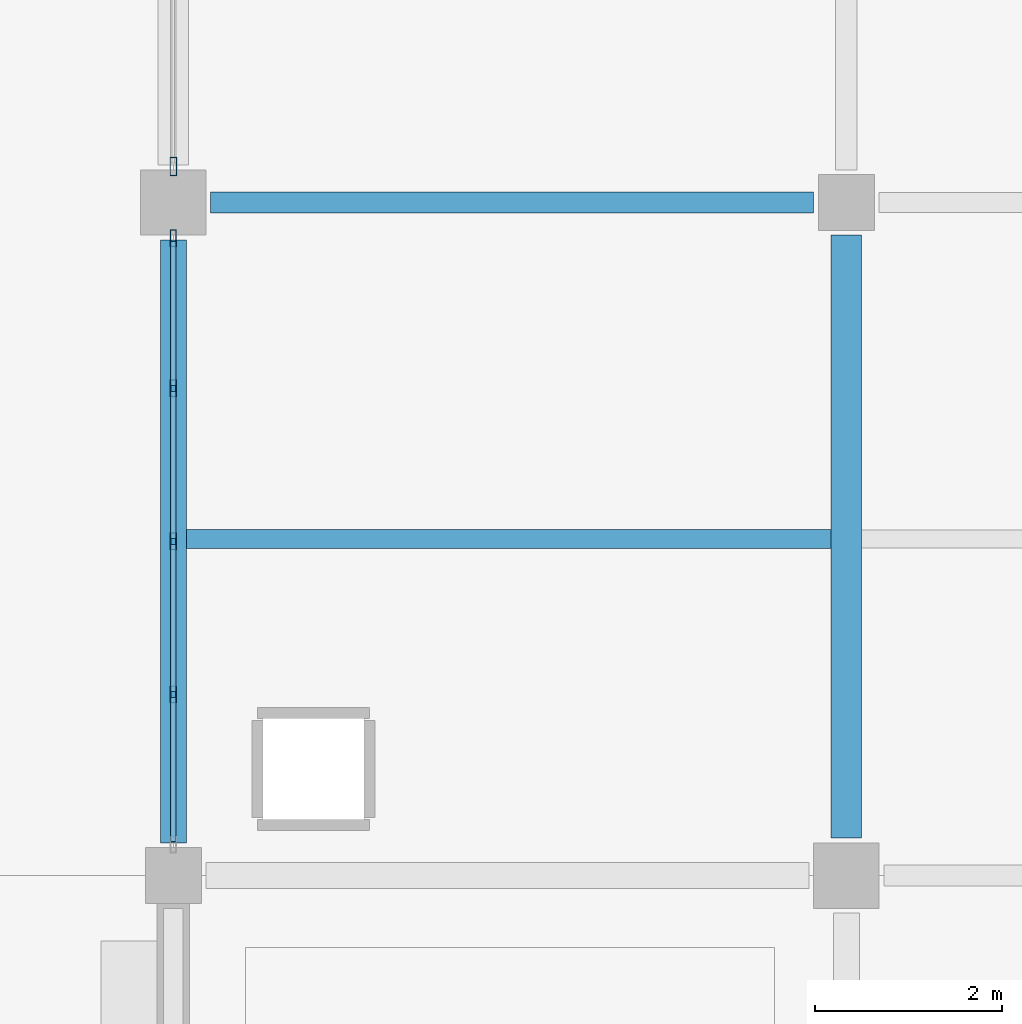
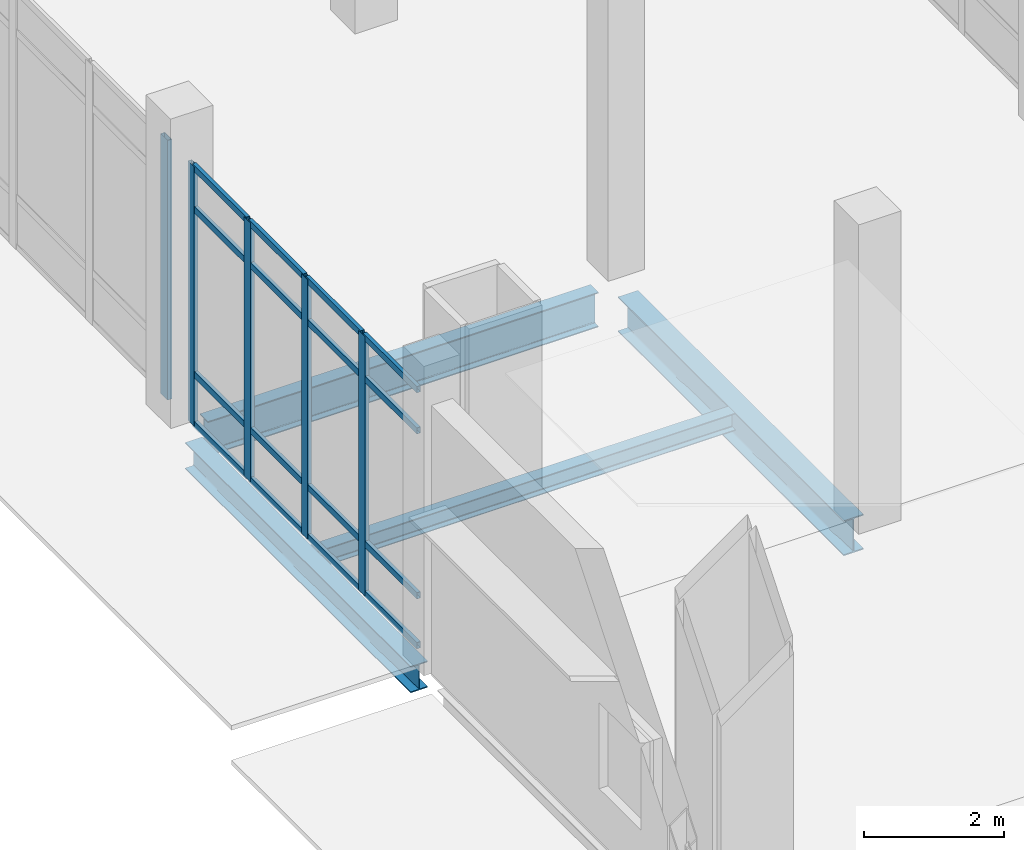
# One storey, part 72 of 229: 21 members, 4 beams, 2 elements without a shape of their own.
"""IFC4 building model written with IfcOpenShell, lengths in metres."""

from ifc_helpers import new_model, si_unit, direction, frame, origin, origin_2d, place, context, subcontext, project, spatial, hollow_rectangle, i_section, extrude, material, layer, layer_set, material_profile, profile_set, type_object, element, aggregate, save


model = new_model("IFC4")

# Units and contexts
model_context = context("Model", 3, precision=1e-05, world=origin(), true_north=direction((0.0, 1.0)))
body_context = subcontext(model_context, "Body", "Model", "MODEL_VIEW")
ifc_project = project(units=[si_unit("LENGTHUNIT", "METRE"), si_unit("AREAUNIT", "SQUARE_METRE"), si_unit("VOLUMEUNIT", "CUBIC_METRE"), si_unit("PLANEANGLEUNIT", "RADIAN"), si_unit("MASSUNIT", "GRAM", prefix="KILO")], contexts=[model_context])

# Site, building, storey
site_placement = place(None, origin())
site = spatial("IfcSite", under=ifc_project, at=site_placement, CompositionType="ELEMENT")
building_placement = place(site_placement, origin())
building = spatial("IfcBuilding", under=site, at=building_placement, Name="Calvrana Isthmian Art Gallery", CompositionType="ELEMENT")
storey_placement = place(building_placement, origin())
storey = spatial("IfcBuildingStorey", under=building, at=storey_placement, Name="L00", CompositionType="ELEMENT", Elevation=0.0)

# Beams
ifc_material_1 = material(Name="Steel ASTM A992 Gr 50", Category="steel")
ifc_material_profile_1 = material_profile(ifc_material_1, i_section(OverallWidth=0.279052734375, OverallDepth=0.4619140625, WebThickness=0.0107421875, FlangeThickness=0.017333984375, FilletRadius=0.02001953125, at=origin_2d()), Name="W18X76")
ifc_profile_set_1 = profile_set([ifc_material_profile_1], Name="Steel ASTM A992 Gr 50")
beam_type_1 = type_object("IfcBeamType", Name="BM-G-W18X76", PredefinedType="BEAM", material=ifc_profile_set_1)
beam_1_placement = place(storey_placement, frame((0.0, 77.14990234375, -0.51611328125), z_axis=(0.0, 1.0, 0.0), x_axis=(-1.0, 0.0, 0.0)))
element("IfcBeam", 1, at=beam_1_placement, inside=storey, type_object=beam_type_1, Name="Girder Y L00 01/K-L", PredefinedType="BEAM", context=body_context, shape_type="SweptSolid", body=[
    extrude(i_section(OverallWidth=0.279052734375, OverallDepth=0.4619140625, WebThickness=0.0107421875, FlangeThickness=0.017333984375, FilletRadius=0.02001953125, at=origin_2d()), origin(), (0.0, 0.0, 1.0), 6.4501953125),
])
ifc_material_profile_2 = material_profile(ifc_material_1, i_section(OverallWidth=0.324951171875, OverallDepth=0.612060546875, WebThickness=0.0126953125, FlangeThickness=0.01904296875, FilletRadius=0.02197265625, at=origin_2d()), Name="W24X104")
ifc_profile_set_2 = profile_set([ifc_material_profile_2], Name="Steel ASTM A992 Gr 50")
beam_type_2 = type_object("IfcBeamType", Name="BM-G-W24X104", PredefinedType="BEAM", material=ifc_profile_set_2)
beam_2_placement = place(storey_placement, frame((7.199951171875, 77.199951171875, -0.591064453125), z_axis=(0.0, 1.0, 0.0), x_axis=(-1.0, 0.0, 0.0)))
element("IfcBeam", 2, at=beam_2_placement, inside=storey, type_object=beam_type_2, Name="Girder Y L00 02/K-L", PredefinedType="BEAM", context=body_context, shape_type="SweptSolid", body=[
    extrude(i_section(OverallWidth=0.324951171875, OverallDepth=0.612060546875, WebThickness=0.0126953125, FlangeThickness=0.01904296875, FilletRadius=0.02197265625, at=origin_2d()), origin(), (0.0, 0.0, 1.0), 6.449951171875),
])
ifc_material_profile_3 = material_profile(ifc_material_1, i_section(OverallWidth=0.22802734375, OverallDepth=0.60693359375, WebThickness=0.01123046875, FlangeThickness=0.017333984375, FilletRadius=0.02197265625, at=origin_2d()), Name="W24X76")
ifc_profile_set_3 = profile_set([ifc_material_profile_3], Name="Steel ASTM A992 Gr 50")
beam_type_3 = type_object("IfcBeamType", Name="BM-G-W24X76", PredefinedType="BEAM", material=ifc_profile_set_3)
beam_3_placement = place(storey_placement, frame((0.39990234375, 84.0, -0.58837890625), z_axis=(1.0, 0.0, 0.0), x_axis=(0.0, 1.0, 0.0)))
element("IfcBeam", 3, at=beam_3_placement, inside=storey, type_object=beam_type_3, Name="Girder X L00 01-02/L", PredefinedType="BEAM", context=body_context, shape_type="SweptSolid", body=[
    extrude(i_section(OverallWidth=0.22802734375, OverallDepth=0.60693359375, WebThickness=0.01123046875, FlangeThickness=0.017333984375, FilletRadius=0.02197265625, at=origin_2d()), origin(), (0.0, 0.0, 1.0), 6.4501953125),
])
ifc_material_profile_4 = material_profile(ifc_material_1, i_section(OverallWidth=0.202880859375, OverallDepth=0.302001953125, WebThickness=0.007568359375, FlangeThickness=0.01318359375, FilletRadius=0.01611328125, at=origin_2d()), Name="W12X40")
ifc_profile_set_4 = profile_set([ifc_material_profile_4], Name="Steel ASTM A992 Gr 50")
beam_type_4 = type_object("IfcBeamType", Name="BM-J-W12X40", PredefinedType="JOIST", material=ifc_profile_set_4)
beam_4_placement = place(storey_placement, frame((0.139404296875, 80.39990234375, -0.43603515625), z_axis=(1.0, 0.0, 0.0), x_axis=(0.0, 1.0, 0.0)))
element("IfcBeam", 4, at=beam_4_placement, inside=storey, type_object=beam_type_4, Name="Composite joist L00 bay 00-10", PredefinedType="JOIST", context=body_context, shape_type="SweptSolid", body=[
    extrude(i_section(OverallWidth=0.202880859375, OverallDepth=0.302001953125, WebThickness=0.007568359375, FlangeThickness=0.01318359375, FilletRadius=0.01611328125, at=origin_2d()), origin(), (0.0, 0.0, 1.0), 6.898193359375),
])

# Curtain wall, members
ifc_material_2 = material(Name="Anodized bronze aluminium 6063-T6", Category="aluminium")
ifc_layer = layer(ifc_material_2, 0.179931640625, Name="Anodized bronze aluminium 6063-T6")
ifc_layer_set = layer_set([ifc_layer], Name="Anodized bronze aluminium 6063-T6")
curtain_wall_type = type_object("IfcCurtainWallType", Name="CW-STICK-066X45", PredefinedType="NOTDEFINED", material=ifc_layer_set)
curtain_wall_1_placement = place(storey_placement, origin())
curtain_wall_1 = element("IfcCurtainWall", 5, at=curtain_wall_1_placement, inside=storey, type_object=curtain_wall_type, Name="Curtain wall CW-050", PredefinedType="NOTDEFINED")
ifc_material_profile_5 = material_profile(ifc_material_2, hollow_rectangle(XDim=0.06494140625, YDim=0.179931640625, WallThickness=0.00439453125, at=origin_2d()), Name="CWM65X180")
ifc_profile_set_5 = profile_set([ifc_material_profile_5], Name="Anodized bronze aluminium 6063-T6")
member_type_1 = type_object("IfcMemberType", Name="CWM-CWM65X180", PredefinedType="MULLION", material=ifc_profile_set_5)
member_1_placement = place(storey_placement, frame((0.0, 78.737548828125, 0.0), z_axis=(0.0, 0.0, 1.0), x_axis=(-1.0, 0.0, 0.0)))
member_1 = element("IfcMember", 6, at=member_1_placement, type_object=member_type_1, Name="CW-050 mullion 2", PredefinedType="MULLION", context=body_context, shape_type="SweptSolid", body=[
    extrude(hollow_rectangle(XDim=0.06494140625, YDim=0.179931640625, WallThickness=0.00439453125, at=origin_2d()), origin(), (0.0, 0.0, 1.0), 4.528076171875),
])
member_2_placement = place(storey_placement, frame((0.0, 80.375, 0.0), z_axis=(0.0, 0.0, 1.0), x_axis=(-1.0, 0.0, 0.0)))
member_2 = element("IfcMember", 7, at=member_2_placement, type_object=member_type_1, Name="CW-050 mullion 3", PredefinedType="MULLION", context=body_context, shape_type="SweptSolid", body=[
    extrude(hollow_rectangle(XDim=0.06494140625, YDim=0.179931640625, WallThickness=0.00439453125, at=origin_2d()), origin(), (0.0, 0.0, 1.0), 4.528076171875),
])
member_3_placement = place(storey_placement, frame((0.0, 82.012451171875, 0.0), z_axis=(0.0, 0.0, 1.0), x_axis=(-1.0, 0.0, 0.0)))
member_3 = element("IfcMember", 8, at=member_3_placement, type_object=member_type_1, Name="CW-050 mullion 4", PredefinedType="MULLION", context=body_context, shape_type="SweptSolid", body=[
    extrude(hollow_rectangle(XDim=0.06494140625, YDim=0.179931640625, WallThickness=0.00439453125, at=origin_2d()), origin(), (0.0, 0.0, 1.0), 4.528076171875),
])
member_4_placement = place(storey_placement, frame((0.0, 83.617431640625, 0.0), z_axis=(0.0, 0.0, 1.0), x_axis=(-1.0, 0.0, 0.0)))
member_4 = element("IfcMember", 9, at=member_4_placement, type_object=member_type_1, Name="CW-050 mullion 5", PredefinedType="MULLION", context=body_context, shape_type="SweptSolid", body=[
    extrude(hollow_rectangle(XDim=0.06494140625, YDim=0.179931640625, WallThickness=0.00439453125, at=origin_2d()), origin(), (0.0, 0.0, 1.0), 4.528076171875),
])

# Curtain wall, member
curtain_wall_2_placement = place(storey_placement, origin())
curtain_wall_2 = element("IfcCurtainWall", 10, at=curtain_wall_2_placement, inside=storey, type_object=curtain_wall_type, Name="Curtain wall CW-051", PredefinedType="NOTDEFINED")
ifc_material_profile_6 = material_profile(ifc_material_2, hollow_rectangle(XDim=0.070068359375, YDim=0.199951171875, WallThickness=0.0048828125, at=origin_2d()), Name="CWM70X200")
ifc_profile_set_6 = profile_set([ifc_material_profile_6], Name="Anodized bronze aluminium 6063-T6")
member_type_2 = type_object("IfcMemberType", Name="CWM-CWM70X200", PredefinedType="MULLION", material=ifc_profile_set_6)
member_5_placement = place(storey_placement, frame((0.0, 84.385009765625, 0.0), z_axis=(0.0, 0.0, 1.0), x_axis=(-1.0, 0.0, 0.0)))
member_5 = element("IfcMember", 11, at=member_5_placement, type_object=member_type_2, Name="CW-051 mullion 1", PredefinedType="MULLION", context=body_context, shape_type="SweptSolid", body=[
    extrude(hollow_rectangle(XDim=0.070068359375, YDim=0.199951171875, WallThickness=0.0048828125, at=origin_2d()), origin(), (0.0, 0.0, 1.0), 4.532958984375),
])
aggregate(curtain_wall_2, [member_5])

# Member
ifc_material_profile_7 = material_profile(ifc_material_2, hollow_rectangle(XDim=0.06005859375, YDim=0.110107421875, WallThickness=0.00341796875, at=origin_2d()), Name="CWT60X110")
ifc_profile_set_7 = profile_set([ifc_material_profile_7], Name="Anodized bronze aluminium 6063-T6")
member_type_3 = type_object("IfcMemberType", Name="CWT-CWT60X110", PredefinedType="USERDEFINED", material=ifc_profile_set_7)
member_6_placement = place(storey_placement, frame((0.0, 77.1650390625, 0.030029296875), z_axis=(0.0, 1.0, 0.0), x_axis=(-1.0, 0.0, 0.0)))
member_6 = element("IfcMember", 12, at=member_6_placement, type_object=member_type_3, Name="CW-050 transom 1.1", ObjectType="TRANSOM", PredefinedType="USERDEFINED", context=body_context, shape_type="SweptSolid", body=[
    extrude(hollow_rectangle(XDim=0.06005859375, YDim=0.110107421875, WallThickness=0.00341796875, at=origin_2d()), origin(), (0.0, 0.0, 1.0), 1.5400390625),
])

member_7_placement = place(storey_placement, frame((0.0, 77.1650390625, 0.89990234375), z_axis=(0.0, 1.0, 0.0), x_axis=(-1.0, 0.0, 0.0)))
member_7 = element("IfcMember", 13, at=member_7_placement, type_object=member_type_3, Name="CW-050 transom 1.2", ObjectType="TRANSOM", PredefinedType="USERDEFINED", context=body_context, shape_type="SweptSolid", body=[
    extrude(hollow_rectangle(XDim=0.06005859375, YDim=0.110107421875, WallThickness=0.00341796875, at=origin_2d()), origin(), (0.0, 0.0, 1.0), 1.5400390625),
])

member_8_placement = place(storey_placement, frame((0.0, 77.1650390625, 3.778076171875), z_axis=(0.0, 1.0, 0.0), x_axis=(-1.0, 0.0, 0.0)))
member_8 = element("IfcMember", 14, at=member_8_placement, type_object=member_type_3, Name="CW-050 transom 1.3", ObjectType="TRANSOM", PredefinedType="USERDEFINED", context=body_context, shape_type="SweptSolid", body=[
    extrude(hollow_rectangle(XDim=0.06005859375, YDim=0.110107421875, WallThickness=0.00341796875, at=origin_2d()), origin(), (0.0, 0.0, 1.0), 1.5400390625),
])

member_9_placement = place(storey_placement, frame((0.0, 77.1650390625, 4.498046875), z_axis=(0.0, 1.0, 0.0), x_axis=(-1.0, 0.0, 0.0)))
member_9 = element("IfcMember", 15, at=member_9_placement, type_object=member_type_3, Name="CW-050 transom 1.4", ObjectType="TRANSOM", PredefinedType="USERDEFINED", context=body_context, shape_type="SweptSolid", body=[
    extrude(hollow_rectangle(XDim=0.06005859375, YDim=0.110107421875, WallThickness=0.00341796875, at=origin_2d()), origin(), (0.0, 0.0, 1.0), 1.5400390625),
])

member_10_placement = place(storey_placement, frame((0.0, 78.77001953125, 0.030029296875), z_axis=(0.0, 1.0, 0.0), x_axis=(-1.0, 0.0, 0.0)))
member_10 = element("IfcMember", 16, at=member_10_placement, type_object=member_type_3, Name="CW-050 transom 2.1", ObjectType="TRANSOM", PredefinedType="USERDEFINED", context=body_context, shape_type="SweptSolid", body=[
    extrude(hollow_rectangle(XDim=0.06005859375, YDim=0.110107421875, WallThickness=0.00341796875, at=origin_2d()), origin(), (0.0, 0.0, 1.0), 1.572509765625),
])

member_11_placement = place(storey_placement, frame((0.0, 78.77001953125, 0.89990234375), z_axis=(0.0, 1.0, 0.0), x_axis=(-1.0, 0.0, 0.0)))
member_11 = element("IfcMember", 17, at=member_11_placement, type_object=member_type_3, Name="CW-050 transom 2.2", ObjectType="TRANSOM", PredefinedType="USERDEFINED", context=body_context, shape_type="SweptSolid", body=[
    extrude(hollow_rectangle(XDim=0.06005859375, YDim=0.110107421875, WallThickness=0.00341796875, at=origin_2d()), origin(), (0.0, 0.0, 1.0), 1.572509765625),
])

member_12_placement = place(storey_placement, frame((0.0, 78.77001953125, 3.778076171875), z_axis=(0.0, 1.0, 0.0), x_axis=(-1.0, 0.0, 0.0)))
member_12 = element("IfcMember", 18, at=member_12_placement, type_object=member_type_3, Name="CW-050 transom 2.3", ObjectType="TRANSOM", PredefinedType="USERDEFINED", context=body_context, shape_type="SweptSolid", body=[
    extrude(hollow_rectangle(XDim=0.06005859375, YDim=0.110107421875, WallThickness=0.00341796875, at=origin_2d()), origin(), (0.0, 0.0, 1.0), 1.572509765625),
])

member_13_placement = place(storey_placement, frame((0.0, 78.77001953125, 4.498046875), z_axis=(0.0, 1.0, 0.0), x_axis=(-1.0, 0.0, 0.0)))
member_13 = element("IfcMember", 19, at=member_13_placement, type_object=member_type_3, Name="CW-050 transom 2.4", ObjectType="TRANSOM", PredefinedType="USERDEFINED", context=body_context, shape_type="SweptSolid", body=[
    extrude(hollow_rectangle(XDim=0.06005859375, YDim=0.110107421875, WallThickness=0.00341796875, at=origin_2d()), origin(), (0.0, 0.0, 1.0), 1.572509765625),
])

member_14_placement = place(storey_placement, frame((0.0, 80.407470703125, 0.030029296875), z_axis=(0.0, 1.0, 0.0), x_axis=(-1.0, 0.0, 0.0)))
member_14 = element("IfcMember", 20, at=member_14_placement, type_object=member_type_3, Name="CW-050 transom 3.1", ObjectType="TRANSOM", PredefinedType="USERDEFINED", context=body_context, shape_type="SweptSolid", body=[
    extrude(hollow_rectangle(XDim=0.06005859375, YDim=0.110107421875, WallThickness=0.00341796875, at=origin_2d()), origin(), (0.0, 0.0, 1.0), 1.572509765625),
])

member_15_placement = place(storey_placement, frame((0.0, 80.407470703125, 0.89990234375), z_axis=(0.0, 1.0, 0.0), x_axis=(-1.0, 0.0, 0.0)))
member_15 = element("IfcMember", 21, at=member_15_placement, type_object=member_type_3, Name="CW-050 transom 3.2", ObjectType="TRANSOM", PredefinedType="USERDEFINED", context=body_context, shape_type="SweptSolid", body=[
    extrude(hollow_rectangle(XDim=0.06005859375, YDim=0.110107421875, WallThickness=0.00341796875, at=origin_2d()), origin(), (0.0, 0.0, 1.0), 1.572509765625),
])

member_16_placement = place(storey_placement, frame((0.0, 80.407470703125, 3.778076171875), z_axis=(0.0, 1.0, 0.0), x_axis=(-1.0, 0.0, 0.0)))
member_16 = element("IfcMember", 22, at=member_16_placement, type_object=member_type_3, Name="CW-050 transom 3.3", ObjectType="TRANSOM", PredefinedType="USERDEFINED", context=body_context, shape_type="SweptSolid", body=[
    extrude(hollow_rectangle(XDim=0.06005859375, YDim=0.110107421875, WallThickness=0.00341796875, at=origin_2d()), origin(), (0.0, 0.0, 1.0), 1.572509765625),
])

member_17_placement = place(storey_placement, frame((0.0, 80.407470703125, 4.498046875), z_axis=(0.0, 1.0, 0.0), x_axis=(-1.0, 0.0, 0.0)))
member_17 = element("IfcMember", 23, at=member_17_placement, type_object=member_type_3, Name="CW-050 transom 3.4", ObjectType="TRANSOM", PredefinedType="USERDEFINED", context=body_context, shape_type="SweptSolid", body=[
    extrude(hollow_rectangle(XDim=0.06005859375, YDim=0.110107421875, WallThickness=0.00341796875, at=origin_2d()), origin(), (0.0, 0.0, 1.0), 1.572509765625),
])

member_18_placement = place(storey_placement, frame((0.0, 82.044921875, 0.030029296875), z_axis=(0.0, 1.0, 0.0), x_axis=(-1.0, 0.0, 0.0)))
member_18 = element("IfcMember", 24, at=member_18_placement, type_object=member_type_3, Name="CW-050 transom 4.1", ObjectType="TRANSOM", PredefinedType="USERDEFINED", context=body_context, shape_type="SweptSolid", body=[
    extrude(hollow_rectangle(XDim=0.06005859375, YDim=0.110107421875, WallThickness=0.00341796875, at=origin_2d()), origin(), (0.0, 0.0, 1.0), 1.5400390625),
])

member_19_placement = place(storey_placement, frame((0.0, 82.044921875, 0.89990234375), z_axis=(0.0, 1.0, 0.0), x_axis=(-1.0, 0.0, 0.0)))
member_19 = element("IfcMember", 25, at=member_19_placement, type_object=member_type_3, Name="CW-050 transom 4.2", ObjectType="TRANSOM", PredefinedType="USERDEFINED", context=body_context, shape_type="SweptSolid", body=[
    extrude(hollow_rectangle(XDim=0.06005859375, YDim=0.110107421875, WallThickness=0.00341796875, at=origin_2d()), origin(), (0.0, 0.0, 1.0), 1.5400390625),
])

member_20_placement = place(storey_placement, frame((0.0, 82.044921875, 3.778076171875), z_axis=(0.0, 1.0, 0.0), x_axis=(-1.0, 0.0, 0.0)))
member_20 = element("IfcMember", 26, at=member_20_placement, type_object=member_type_3, Name="CW-050 transom 4.3", ObjectType="TRANSOM", PredefinedType="USERDEFINED", context=body_context, shape_type="SweptSolid", body=[
    extrude(hollow_rectangle(XDim=0.06005859375, YDim=0.110107421875, WallThickness=0.00341796875, at=origin_2d()), origin(), (0.0, 0.0, 1.0), 1.5400390625),
])

member_21_placement = place(storey_placement, frame((0.0, 82.044921875, 4.498046875), z_axis=(0.0, 1.0, 0.0), x_axis=(-1.0, 0.0, 0.0)))
member_21 = element("IfcMember", 27, at=member_21_placement, type_object=member_type_3, Name="CW-050 transom 4.4", ObjectType="TRANSOM", PredefinedType="USERDEFINED", context=body_context, shape_type="SweptSolid", body=[
    extrude(hollow_rectangle(XDim=0.06005859375, YDim=0.110107421875, WallThickness=0.00341796875, at=origin_2d()), origin(), (0.0, 0.0, 1.0), 1.5400390625),
])

aggregate(curtain_wall_1, [member_1, member_2, member_3, member_4, member_6, member_7, member_8, member_9, member_10, member_11, member_12, member_13, member_14, member_15, member_16, member_17, member_18, member_19, member_20, member_21])

save(model, "model.ifc")
